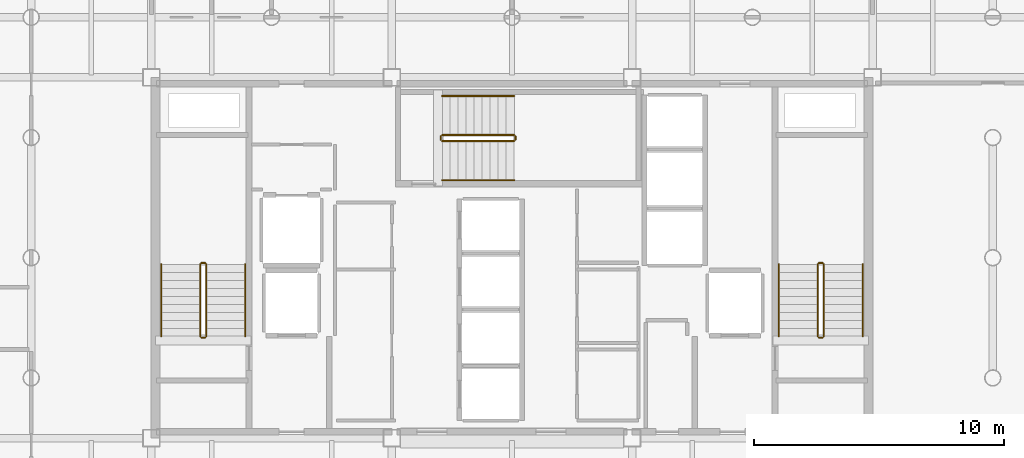
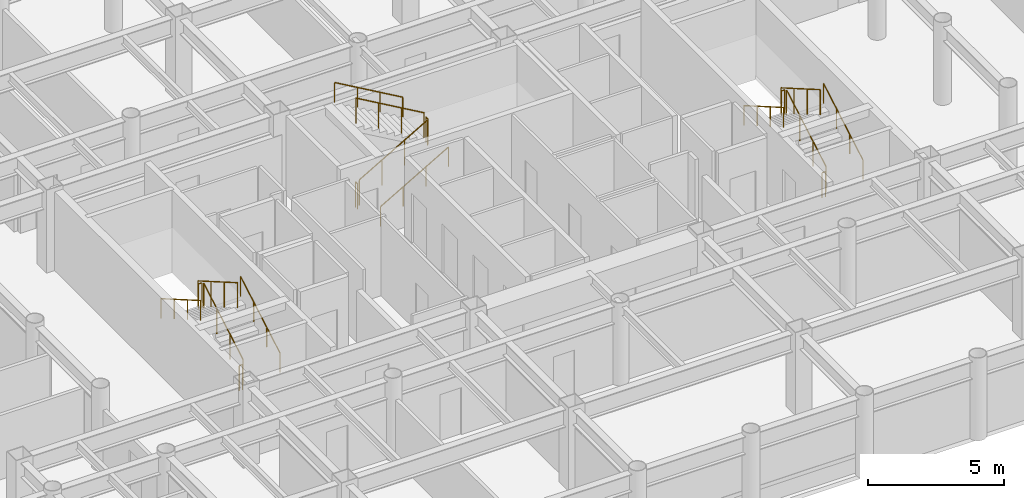
# One storey, part 19 of 19: 18 railings.
"""IFC4 building model written with IfcOpenShell, lengths in metres."""

from ifc_helpers import new_model, si_unit, direction, frame, origin, origin_2d, place, context, subcontext, project, spatial, circle, extrude, material, layer, layer_set, type_object, element, save


model = new_model("IFC4")

# Units and contexts
model_context = context("Model", 3, precision=1e-05, world=origin(), true_north=direction((0.0, 1.0)))
body_context = subcontext(model_context, "Body", "Model", "MODEL_VIEW")
ifc_project = project(units=[si_unit("LENGTHUNIT", "METRE"), si_unit("AREAUNIT", "SQUARE_METRE"), si_unit("VOLUMEUNIT", "CUBIC_METRE"), si_unit("PLANEANGLEUNIT", "RADIAN"), si_unit("MASSUNIT", "GRAM", prefix="KILO")], contexts=[model_context])

# Site, building, storey
site_placement = place(None, origin())
site = spatial("IfcSite", under=ifc_project, at=site_placement, CompositionType="ELEMENT")
building_placement = place(site_placement, origin())
building = spatial("IfcBuilding", under=site, at=building_placement, Name="Kallvorn Hotel Tower", CompositionType="ELEMENT")
storey_placement = place(building_placement, frame((0.0, 0.0, 147.0)))
storey = spatial("IfcBuildingStorey", under=building, at=storey_placement, Name="L36", CompositionType="ELEMENT", Elevation=147.0)

# Railings
ifc_material_1 = material(Name="Brushed stainless-steel tubular railing", Category="steel")
ifc_layer_1 = layer(ifc_material_1, 0.050048828125)
ifc_layer_set_1 = layer_set([ifc_layer_1], Name="RL_STAIR_GUARD")
railing_type_1 = type_object("IfcRailingType", Name="RL_STAIR_GUARD", PredefinedType="GUARDRAIL", material=ifc_layer_set_1)
railing_1_placement = place(storey_placement, frame((-12.2099609375, -3.139892578125, 0.18505859375)))
element("IfcRailing", 1, at=railing_1_placement, inside=storey, type_object=railing_type_1, Name="L36 ST1 stair guard 1", PredefinedType="GUARDRAIL", context=body_context, shape_type="SweptSolid", body=[
    extrude(circle(Radius=0.02392578125, at=origin_2d()), frame((0.0, 0.0, 1.1259765625), z_axis=(0.0, 0.865720918037, 0.500527014328), x_axis=(-1.0, 0.0, 0.0)), (0.0, 0.0, 1.0), 3.32666015625),
    extrude(circle(Radius=0.02099609375, at=origin_2d()), origin(), (0.0, 0.0, 1.0), 1.101806640625),
    extrude(circle(Radius=0.02099609375, at=origin_2d()), frame((0.0, 0.9599609375, 0.554931640625)), (0.0, 0.0, 1.0), 1.101806640625),
    extrude(circle(Radius=0.02099609375, at=origin_2d()), frame((0.0, 1.919921875, 1.110107421875)), (0.0, 0.0, 1.0), 1.101806640625),
    extrude(circle(Radius=0.02099609375, at=origin_2d()), frame((0.0, 2.8798828125, 1.6650390625)), (0.0, 0.0, 1.0), 1.101806640625),
])
railing_2_placement = place(storey_placement, frame((-12.260009765625, -0.2099609375, 1.85009765625)))
element("IfcRailing", 2, at=railing_2_placement, inside=storey, type_object=railing_type_1, Name="L36 ST1 stair guard 2", PredefinedType="GUARDRAIL", context=body_context, shape_type="SweptSolid", body=[
    extrude(circle(Radius=0.02392578125, at=origin_2d()), frame((0.0, 0.0, 1.1259765625), z_axis=(-1.0, 0.0, 0.0), x_axis=(0.0, -1.0, 0.0)), (0.0, 0.0, 1.0), 0.139892578125),
    extrude(circle(Radius=0.02099609375, at=origin_2d()), origin(), (0.0, 0.0, 1.0), 1.101806640625),
    extrude(circle(Radius=0.02099609375, at=origin_2d()), frame((-0.139892578125, 0.0, 0.0)), (0.0, 0.0, 1.0), 1.101806640625),
])
railing_3_placement = place(storey_placement, frame((-12.449951171875, -0.260009765625, 2.034912109375)))
element("IfcRailing", 3, at=railing_3_placement, inside=storey, type_object=railing_type_1, Name="L36 ST1 stair guard 3", PredefinedType="GUARDRAIL", context=body_context, shape_type="SweptSolid", body=[
    extrude(circle(Radius=0.02392578125, at=origin_2d()), frame((0.0, 0.0, 1.1259765625), z_axis=(0.0, -0.865720918037, 0.500527014328), x_axis=(1.0, 0.0, 0.0)), (0.0, 0.0, 1.0), 3.32666015625),
    extrude(circle(Radius=0.02099609375, at=origin_2d()), origin(), (0.0, 0.0, 1.0), 1.101806640625),
    extrude(circle(Radius=0.02099609375, at=origin_2d()), frame((0.0, -0.9599609375, 0.554931640625)), (0.0, 0.0, 1.0), 1.101806640625),
    extrude(circle(Radius=0.02099609375, at=origin_2d()), frame((0.0, -1.919921875, 1.110107421875)), (0.0, 0.0, 1.0), 1.101806640625),
    extrude(circle(Radius=0.02099609375, at=origin_2d()), frame((0.0, -2.8798828125, 1.6650390625)), (0.0, 0.0, 1.0), 1.101806640625),
])
railing_4_placement = place(storey_placement, frame((-12.260009765625, -3.18994140625, 0.0)))
element("IfcRailing", 4, at=railing_4_placement, inside=storey, type_object=railing_type_1, Name="L36 ST1 stair guard 4", PredefinedType="GUARDRAIL", context=body_context, shape_type="SweptSolid", body=[
    extrude(circle(Radius=0.02392578125, at=origin_2d()), frame((0.0, 0.0, 1.1259765625), z_axis=(-1.0, 0.0, 0.0), x_axis=(0.0, -1.0, 0.0)), (0.0, 0.0, 1.0), 0.139892578125),
    extrude(circle(Radius=0.02099609375, at=origin_2d()), origin(), (0.0, 0.0, 1.0), 1.101806640625),
    extrude(circle(Radius=0.02099609375, at=origin_2d()), frame((-0.139892578125, 0.0, 0.0)), (0.0, 0.0, 1.0), 1.101806640625),
])
railing_5_placement = place(storey_placement, frame((12.449951171875, -3.139892578125, 0.18505859375)))
element("IfcRailing", 5, at=railing_5_placement, inside=storey, type_object=railing_type_1, Name="L36 ST2 stair guard 1", PredefinedType="GUARDRAIL", context=body_context, shape_type="SweptSolid", body=[
    extrude(circle(Radius=0.02392578125, at=origin_2d()), frame((0.0, 0.0, 1.1259765625), z_axis=(0.0, 0.865720918037, 0.500527014328), x_axis=(-1.0, 0.0, 0.0)), (0.0, 0.0, 1.0), 3.32666015625),
    extrude(circle(Radius=0.02099609375, at=origin_2d()), origin(), (0.0, 0.0, 1.0), 1.101806640625),
    extrude(circle(Radius=0.02099609375, at=origin_2d()), frame((0.0, 0.9599609375, 0.554931640625)), (0.0, 0.0, 1.0), 1.101806640625),
    extrude(circle(Radius=0.02099609375, at=origin_2d()), frame((0.0, 1.919921875, 1.110107421875)), (0.0, 0.0, 1.0), 1.101806640625),
    extrude(circle(Radius=0.02099609375, at=origin_2d()), frame((0.0, 2.8798828125, 1.6650390625)), (0.0, 0.0, 1.0), 1.101806640625),
])
railing_6_placement = place(storey_placement, frame((12.39990234375, -0.2099609375, 1.85009765625)))
element("IfcRailing", 6, at=railing_6_placement, inside=storey, type_object=railing_type_1, Name="L36 ST2 stair guard 2", PredefinedType="GUARDRAIL", context=body_context, shape_type="SweptSolid", body=[
    extrude(circle(Radius=0.02392578125, at=origin_2d()), frame((0.0, 0.0, 1.1259765625), z_axis=(-1.0, 0.0, 0.0), x_axis=(0.0, -1.0, 0.0)), (0.0, 0.0, 1.0), 0.139892578125),
    extrude(circle(Radius=0.02099609375, at=origin_2d()), origin(), (0.0, 0.0, 1.0), 1.101806640625),
    extrude(circle(Radius=0.02099609375, at=origin_2d()), frame((-0.139892578125, 0.0, 0.0)), (0.0, 0.0, 1.0), 1.101806640625),
])
railing_7_placement = place(storey_placement, frame((12.2099609375, -0.260009765625, 2.034912109375)))
element("IfcRailing", 7, at=railing_7_placement, inside=storey, type_object=railing_type_1, Name="L36 ST2 stair guard 3", PredefinedType="GUARDRAIL", context=body_context, shape_type="SweptSolid", body=[
    extrude(circle(Radius=0.02392578125, at=origin_2d()), frame((0.0, 0.0, 1.1259765625), z_axis=(0.0, -0.865720918037, 0.500527014328), x_axis=(1.0, 0.0, 0.0)), (0.0, 0.0, 1.0), 3.32666015625),
    extrude(circle(Radius=0.02099609375, at=origin_2d()), origin(), (0.0, 0.0, 1.0), 1.101806640625),
    extrude(circle(Radius=0.02099609375, at=origin_2d()), frame((0.0, -0.9599609375, 0.554931640625)), (0.0, 0.0, 1.0), 1.101806640625),
    extrude(circle(Radius=0.02099609375, at=origin_2d()), frame((0.0, -1.919921875, 1.110107421875)), (0.0, 0.0, 1.0), 1.101806640625),
    extrude(circle(Radius=0.02099609375, at=origin_2d()), frame((0.0, -2.8798828125, 1.6650390625)), (0.0, 0.0, 1.0), 1.101806640625),
])
railing_8_placement = place(storey_placement, frame((12.39990234375, -3.18994140625, 0.0)))
element("IfcRailing", 8, at=railing_8_placement, inside=storey, type_object=railing_type_1, Name="L36 ST2 stair guard 4", PredefinedType="GUARDRAIL", context=body_context, shape_type="SweptSolid", body=[
    extrude(circle(Radius=0.02392578125, at=origin_2d()), frame((0.0, 0.0, 1.1259765625), z_axis=(-1.0, 0.0, 0.0), x_axis=(0.0, -1.0, 0.0)), (0.0, 0.0, 1.0), 0.139892578125),
    extrude(circle(Radius=0.02099609375, at=origin_2d()), origin(), (0.0, 0.0, 1.0), 1.101806640625),
    extrude(circle(Radius=0.02099609375, at=origin_2d()), frame((-0.139892578125, 0.0, 0.0)), (0.0, 0.0, 1.0), 1.101806640625),
])
railing_9_placement = place(storey_placement, frame((-2.7900390625, 4.659912109375, 0.18505859375)))
element("IfcRailing", 9, at=railing_9_placement, inside=storey, type_object=railing_type_1, Name="L36 ST3 stair guard 1", PredefinedType="GUARDRAIL", context=body_context, shape_type="SweptSolid", body=[
    extrude(circle(Radius=0.02392578125, at=origin_2d()), frame((0.0, 0.0, 1.1259765625), z_axis=(0.865739302748, 0.0, 0.50049521444), x_axis=(0.0, 1.0, 0.0)), (0.0, 0.0, 1.0), 3.326904296875),
    extrude(circle(Radius=0.02099609375, at=origin_2d()), origin(), (0.0, 0.0, 1.0), 1.101806640625),
    extrude(circle(Radius=0.02099609375, at=origin_2d()), frame((0.9599609375, 0.0, 0.554931640625)), (0.0, 0.0, 1.0), 1.101806640625),
    extrude(circle(Radius=0.02099609375, at=origin_2d()), frame((1.920166015625, 0.0, 1.110107421875)), (0.0, 0.0, 1.0), 1.101806640625),
    extrude(circle(Radius=0.02099609375, at=origin_2d()), frame((2.880126953125, 0.0, 1.6650390625)), (0.0, 0.0, 1.0), 1.101806640625),
])
railing_10_placement = place(storey_placement, frame((0.139892578125, 4.7099609375, 1.85009765625)))
element("IfcRailing", 10, at=railing_10_placement, inside=storey, type_object=railing_type_1, Name="L36 ST3 stair guard 2", PredefinedType="GUARDRAIL", context=body_context, shape_type="SweptSolid", body=[
    extrude(circle(Radius=0.02392578125, at=origin_2d()), frame((0.0, 0.0, 1.1259765625), z_axis=(0.0, 1.0, 0.0), x_axis=(-1.0, 0.0, 0.0)), (0.0, 0.0, 1.0), 0.14013671875),
    extrude(circle(Radius=0.02099609375, at=origin_2d()), origin(), (0.0, 0.0, 1.0), 1.101806640625),
    extrude(circle(Radius=0.02099609375, at=origin_2d()), frame((0.0, 0.14013671875, 0.0)), (0.0, 0.0, 1.0), 1.101806640625),
])
railing_11_placement = place(storey_placement, frame((0.090087890625, 4.89990234375, 2.034912109375)))
element("IfcRailing", 11, at=railing_11_placement, inside=storey, type_object=railing_type_1, Name="L36 ST3 stair guard 3", PredefinedType="GUARDRAIL", context=body_context, shape_type="SweptSolid", body=[
    extrude(circle(Radius=0.02392578125, at=origin_2d()), frame((0.0, 0.0, 1.1259765625), z_axis=(-0.865739302748, 0.0, 0.50049521444), x_axis=(0.0, -1.0, 0.0)), (0.0, 0.0, 1.0), 3.326904296875),
    extrude(circle(Radius=0.02099609375, at=origin_2d()), origin(), (0.0, 0.0, 1.0), 1.101806640625),
    extrude(circle(Radius=0.02099609375, at=origin_2d()), frame((-0.9599609375, 0.0, 0.554931640625)), (0.0, 0.0, 1.0), 1.101806640625),
    extrude(circle(Radius=0.02099609375, at=origin_2d()), frame((-1.920166015625, 0.0, 1.110107421875)), (0.0, 0.0, 1.0), 1.101806640625),
    extrude(circle(Radius=0.02099609375, at=origin_2d()), frame((-2.880126953125, 0.0, 1.6650390625)), (0.0, 0.0, 1.0), 1.101806640625),
])
railing_12_placement = place(storey_placement, frame((-2.840087890625, 4.7099609375, 0.0)))
element("IfcRailing", 12, at=railing_12_placement, inside=storey, type_object=railing_type_1, Name="L36 ST3 stair guard 4", PredefinedType="GUARDRAIL", context=body_context, shape_type="SweptSolid", body=[
    extrude(circle(Radius=0.02392578125, at=origin_2d()), frame((0.0, 0.0, 1.1259765625), z_axis=(0.0, 1.0, 0.0), x_axis=(-1.0, 0.0, 0.0)), (0.0, 0.0, 1.0), 0.14013671875),
    extrude(circle(Radius=0.02099609375, at=origin_2d()), origin(), (0.0, 0.0, 1.0), 1.101806640625),
    extrude(circle(Radius=0.02099609375, at=origin_2d()), frame((0.0, 0.14013671875, 0.0)), (0.0, 0.0, 1.0), 1.101806640625),
])
ifc_material_2 = material(Name="Brushed stainless-steel tubular railing", Category="steel")
ifc_layer_2 = layer(ifc_material_2, 0.050048828125)
ifc_layer_set_2 = layer_set([ifc_layer_2], Name="RL_STAIR_HAND")
railing_type_2 = type_object("IfcRailingType", Name="RL_STAIR_HAND", PredefinedType="HANDRAIL", material=ifc_layer_set_2)
railing_13_placement = place(storey_placement, frame((-10.64990234375, -3.139892578125, 0.18505859375)))
element("IfcRailing", 13, at=railing_13_placement, inside=storey, type_object=railing_type_2, Name="L36 ST1 stair handrail 1", PredefinedType="HANDRAIL", context=body_context, shape_type="SweptSolid", body=[
    extrude(circle(Radius=0.02392578125, at=origin_2d()), frame((0.0, 0.0, 0.8759765625), z_axis=(0.0, 0.865720918037, 0.500527014328), x_axis=(-1.0, 0.0, 0.0)), (0.0, 0.0, 1.0), 3.32666015625),
    extrude(circle(Radius=0.02099609375, at=origin_2d()), origin(), (0.0, 0.0, 1.0), 0.851806640625),
    extrude(circle(Radius=0.02099609375, at=origin_2d()), frame((0.0, 0.9599609375, 0.554931640625)), (0.0, 0.0, 1.0), 0.851806640625),
    extrude(circle(Radius=0.02099609375, at=origin_2d()), frame((0.0, 1.919921875, 1.110107421875)), (0.0, 0.0, 1.0), 0.851806640625),
    extrude(circle(Radius=0.02099609375, at=origin_2d()), frame((0.0, 2.8798828125, 1.6650390625)), (0.0, 0.0, 1.0), 0.851806640625),
])
railing_14_placement = place(storey_placement, frame((-14.010009765625, -0.260009765625, 2.034912109375)))
element("IfcRailing", 14, at=railing_14_placement, inside=storey, type_object=railing_type_2, Name="L36 ST1 stair handrail 2", PredefinedType="HANDRAIL", context=body_context, shape_type="SweptSolid", body=[
    extrude(circle(Radius=0.02392578125, at=origin_2d()), frame((0.0, 0.0, 0.8759765625), z_axis=(0.0, -0.865720918037, 0.500527014328), x_axis=(1.0, 0.0, 0.0)), (0.0, 0.0, 1.0), 3.32666015625),
    extrude(circle(Radius=0.02099609375, at=origin_2d()), origin(), (0.0, 0.0, 1.0), 0.851806640625),
    extrude(circle(Radius=0.02099609375, at=origin_2d()), frame((0.0, -0.9599609375, 0.554931640625)), (0.0, 0.0, 1.0), 0.851806640625),
    extrude(circle(Radius=0.02099609375, at=origin_2d()), frame((0.0, -1.919921875, 1.110107421875)), (0.0, 0.0, 1.0), 0.851806640625),
    extrude(circle(Radius=0.02099609375, at=origin_2d()), frame((0.0, -2.8798828125, 1.6650390625)), (0.0, 0.0, 1.0), 0.851806640625),
])
railing_15_placement = place(storey_placement, frame((14.010009765625, -3.139892578125, 0.18505859375)))
element("IfcRailing", 15, at=railing_15_placement, inside=storey, type_object=railing_type_2, Name="L36 ST2 stair handrail 1", PredefinedType="HANDRAIL", context=body_context, shape_type="SweptSolid", body=[
    extrude(circle(Radius=0.02392578125, at=origin_2d()), frame((0.0, 0.0, 0.8759765625), z_axis=(0.0, 0.865720918037, 0.500527014328), x_axis=(-1.0, 0.0, 0.0)), (0.0, 0.0, 1.0), 3.32666015625),
    extrude(circle(Radius=0.02099609375, at=origin_2d()), origin(), (0.0, 0.0, 1.0), 0.851806640625),
    extrude(circle(Radius=0.02099609375, at=origin_2d()), frame((0.0, 0.9599609375, 0.554931640625)), (0.0, 0.0, 1.0), 0.851806640625),
    extrude(circle(Radius=0.02099609375, at=origin_2d()), frame((0.0, 1.919921875, 1.110107421875)), (0.0, 0.0, 1.0), 0.851806640625),
    extrude(circle(Radius=0.02099609375, at=origin_2d()), frame((0.0, 2.8798828125, 1.6650390625)), (0.0, 0.0, 1.0), 0.851806640625),
])
railing_16_placement = place(storey_placement, frame((10.64990234375, -0.260009765625, 2.034912109375)))
element("IfcRailing", 16, at=railing_16_placement, inside=storey, type_object=railing_type_2, Name="L36 ST2 stair handrail 2", PredefinedType="HANDRAIL", context=body_context, shape_type="SweptSolid", body=[
    extrude(circle(Radius=0.02392578125, at=origin_2d()), frame((0.0, 0.0, 0.8759765625), z_axis=(0.0, -0.865720918037, 0.500527014328), x_axis=(1.0, 0.0, 0.0)), (0.0, 0.0, 1.0), 3.32666015625),
    extrude(circle(Radius=0.02099609375, at=origin_2d()), origin(), (0.0, 0.0, 1.0), 0.851806640625),
    extrude(circle(Radius=0.02099609375, at=origin_2d()), frame((0.0, -0.9599609375, 0.554931640625)), (0.0, 0.0, 1.0), 0.851806640625),
    extrude(circle(Radius=0.02099609375, at=origin_2d()), frame((0.0, -1.919921875, 1.110107421875)), (0.0, 0.0, 1.0), 0.851806640625),
    extrude(circle(Radius=0.02099609375, at=origin_2d()), frame((0.0, -2.8798828125, 1.6650390625)), (0.0, 0.0, 1.0), 0.851806640625),
])
railing_17_placement = place(storey_placement, frame((-2.7900390625, 3.10009765625, 0.18505859375)))
element("IfcRailing", 17, at=railing_17_placement, inside=storey, type_object=railing_type_2, Name="L36 ST3 stair handrail 1", PredefinedType="HANDRAIL", context=body_context, shape_type="SweptSolid", body=[
    extrude(circle(Radius=0.02392578125, at=origin_2d()), frame((0.0, 0.0, 0.8759765625), z_axis=(0.865739302748, 0.0, 0.50049521444), x_axis=(0.0, 1.0, 0.0)), (0.0, 0.0, 1.0), 3.326904296875),
    extrude(circle(Radius=0.02099609375, at=origin_2d()), origin(), (0.0, 0.0, 1.0), 0.851806640625),
    extrude(circle(Radius=0.02099609375, at=origin_2d()), frame((0.9599609375, 0.0, 0.554931640625)), (0.0, 0.0, 1.0), 0.851806640625),
    extrude(circle(Radius=0.02099609375, at=origin_2d()), frame((1.920166015625, 0.0, 1.110107421875)), (0.0, 0.0, 1.0), 0.851806640625),
    extrude(circle(Radius=0.02099609375, at=origin_2d()), frame((2.880126953125, 0.0, 1.6650390625)), (0.0, 0.0, 1.0), 0.851806640625),
])
railing_18_placement = place(storey_placement, frame((0.090087890625, 6.4599609375, 2.034912109375)))
element("IfcRailing", 18, at=railing_18_placement, inside=storey, type_object=railing_type_2, Name="L36 ST3 stair handrail 2", PredefinedType="HANDRAIL", context=body_context, shape_type="SweptSolid", body=[
    extrude(circle(Radius=0.02392578125, at=origin_2d()), frame((0.0, 0.0, 0.8759765625), z_axis=(-0.865739302748, 0.0, 0.50049521444), x_axis=(0.0, -1.0, 0.0)), (0.0, 0.0, 1.0), 3.326904296875),
    extrude(circle(Radius=0.02099609375, at=origin_2d()), origin(), (0.0, 0.0, 1.0), 0.851806640625),
    extrude(circle(Radius=0.02099609375, at=origin_2d()), frame((-0.9599609375, 0.0, 0.554931640625)), (0.0, 0.0, 1.0), 0.851806640625),
    extrude(circle(Radius=0.02099609375, at=origin_2d()), frame((-1.920166015625, 0.0, 1.110107421875)), (0.0, 0.0, 1.0), 0.851806640625),
    extrude(circle(Radius=0.02099609375, at=origin_2d()), frame((-2.880126953125, 0.0, 1.6650390625)), (0.0, 0.0, 1.0), 0.851806640625),
])

save(model, "model.ifc")
